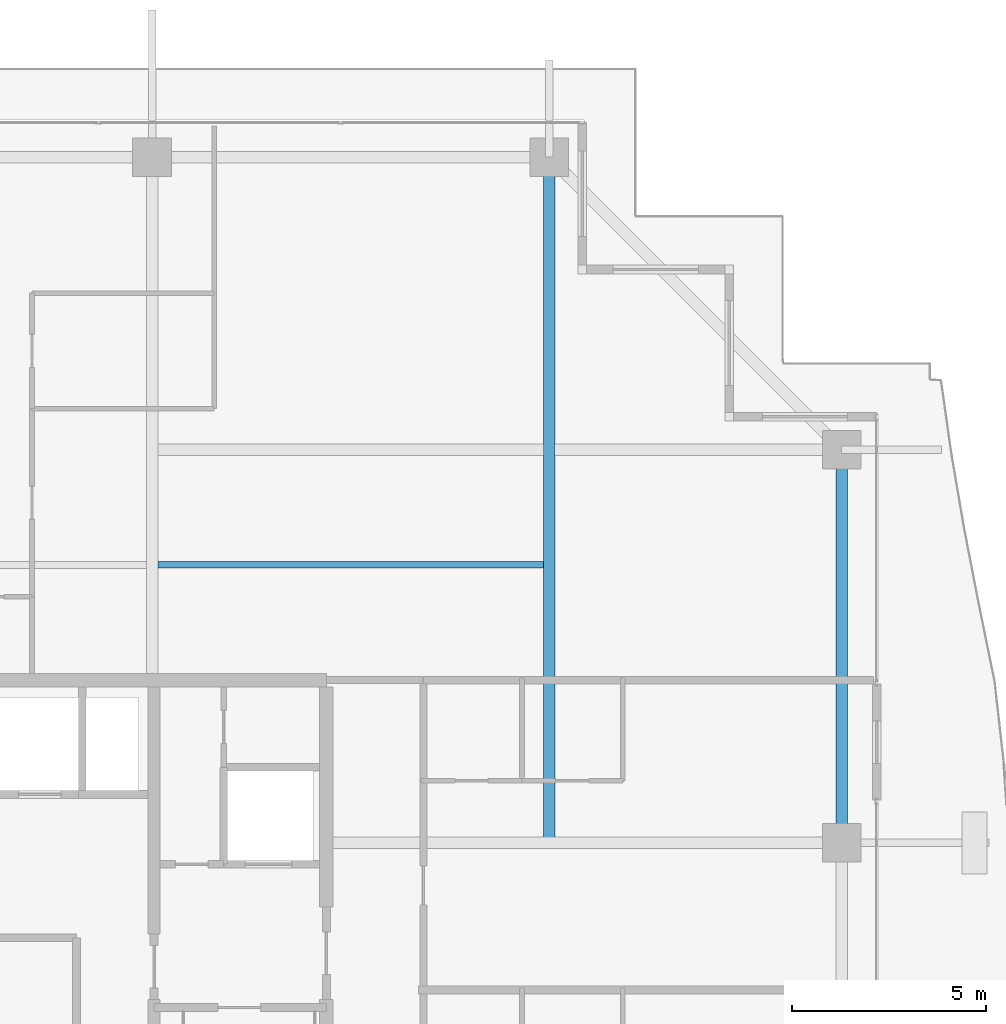
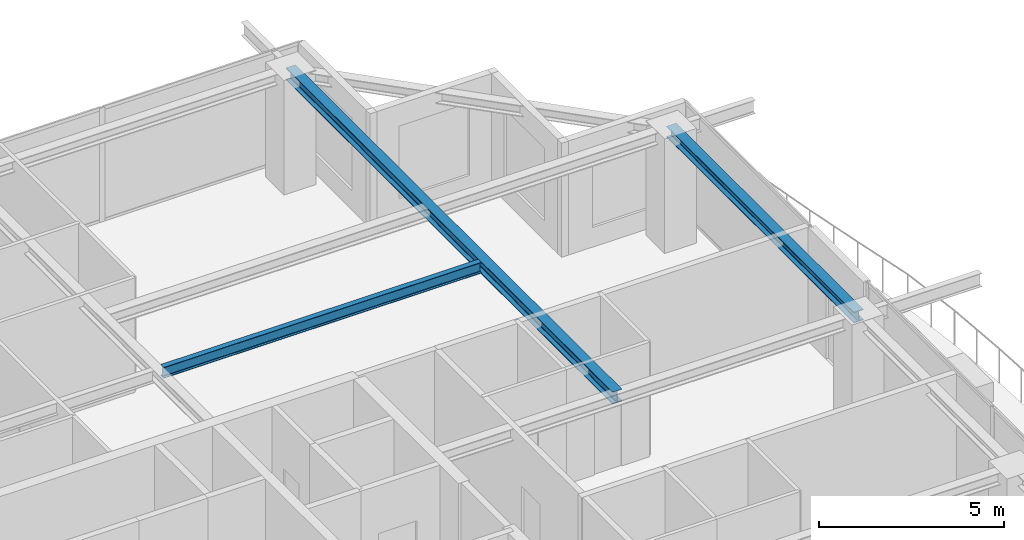
# One storey, part 25 of 42: 3 beams.
"""IFC4 building model written with IfcOpenShell, lengths in metres."""

from ifc_helpers import new_model, si_unit, direction, frame, origin, origin_2d, place, context, subcontext, project, spatial, i_section, extrude, source, transform, mapped, material, material_profile, profile_set, type_object, element, save


model = new_model("IFC4")

# Units and contexts
model_context = context("Model", 3, precision=1e-05, world=origin(), true_north=direction((0.0, 1.0)))
body_context = subcontext(model_context, "Body", "Model", "MODEL_VIEW")
ifc_project = project(units=[si_unit("LENGTHUNIT", "METRE"), si_unit("AREAUNIT", "SQUARE_METRE"), si_unit("VOLUMEUNIT", "CUBIC_METRE"), si_unit("PLANEANGLEUNIT", "RADIAN"), si_unit("MASSUNIT", "GRAM", prefix="KILO")], contexts=[model_context])

# Site, building, storey
site_placement = place(None, origin())
site = spatial("IfcSite", under=ifc_project, at=site_placement, CompositionType="ELEMENT")
building_placement = place(site_placement, origin())
building = spatial("IfcBuilding", under=site, at=building_placement, Name="Serunith Strait Residences", CompositionType="ELEMENT")
storey_placement = place(building_placement, frame((0.0, 0.0, 309.64990234375)))
storey = spatial("IfcBuildingStorey", under=building, at=storey_placement, Name="L77", CompositionType="ELEMENT", Elevation=309.64990234375)

# Beams
ifc_material = material(Name="Steel S355J2", Category="steel")
ifc_material_profile_1 = material_profile(ifc_material, i_section(OverallWidth=0.169921875, OverallDepth=0.360107421875, WebThickness=0.008056640625, FlangeThickness=0.0126953125, FilletRadius=0.01806640625, at=origin_2d()), Name="IPE 360")
ifc_profile_set_1 = profile_set([ifc_material_profile_1], Name="Steel S355J2")
beam_type_1 = type_object("IfcBeamType", Name="BM-IPE360", PredefinedType="JOIST", material=ifc_profile_set_1)
shared_shape_1 = source(origin(), body_context, "Body", "SweptSolid", [
    extrude(i_section(OverallWidth=0.169921875, OverallDepth=0.360107421875, WebThickness=0.008056640625, FlangeThickness=0.0126953125, FilletRadius=0.01806640625, at=origin_2d()), origin(), (0.0, 0.0, 1.0), 9.949951171875),
])
beam_1_placement = place(storey_placement, frame((37.050048828125, 36.574951171875, 3.607177734375), z_axis=(1.0, 0.0, 0.0), x_axis=(0.0, 1.0, 0.0)))
element("IfcBeam", 1, at=beam_1_placement, inside=storey, type_object=beam_type_1, Name="L77 Composite Floor Joist 06", PredefinedType="JOIST", context=body_context, shape_type="MappedRepresentation", body=[
    mapped(shared_shape_1, transform((0.0, 0.0, 0.0), scale=1.0)),
])
ifc_material_profile_2 = material_profile(ifc_material, i_section(OverallWidth=0.300048828125, OverallDepth=0.39990234375, WebThickness=0.013427734375, FlangeThickness=0.02392578125, FilletRadius=0.027099609375, at=origin_2d()), Name="HEB 400")
ifc_profile_set_2 = profile_set([ifc_material_profile_2], Name="Steel S355J2")
beam_type_2 = type_object("IfcBeamType", Name="BM-HEB400", PredefinedType="BEAM", material=ifc_profile_set_2)
shared_shape_2 = source(origin(), body_context, "Body", "SweptSolid", [
    extrude(i_section(OverallWidth=0.300048828125, OverallDepth=0.39990234375, WebThickness=0.013427734375, FlangeThickness=0.02392578125, FilletRadius=0.027099609375, at=origin_2d()), origin(), (0.0, 0.0, 1.0), 17.7001953125),
])
beam_2_placement = place(storey_placement, frame((47.14990234375, 29.39990234375, 3.587158203125), z_axis=(0.0, 1.0, 0.0), x_axis=(-1.0, 0.0, 0.0)))
element("IfcBeam", 2, at=beam_2_placement, inside=storey, type_object=beam_type_2, Name="L77 Orthogonal Corner Girder TC-N4", PredefinedType="BEAM", context=body_context, shape_type="MappedRepresentation", body=[
    mapped(shared_shape_2, transform((0.0, 0.0, 0.0), scale=1.0)),
])
ifc_material_profile_3 = material_profile(ifc_material, i_section(OverallWidth=0.300048828125, OverallDepth=0.360107421875, WebThickness=0.012451171875, FlangeThickness=0.0224609375, FilletRadius=0.027099609375, at=origin_2d()), Name="HEB 360")
ifc_profile_set_3 = profile_set([ifc_material_profile_3], Name="Steel S355J2")
beam_type_3 = type_object("IfcBeamType", Name="BM-HEB360", PredefinedType="BEAM", material=ifc_profile_set_3)
shared_shape_3 = source(origin(), body_context, "Body", "SweptSolid", [
    extrude(i_section(OverallWidth=0.300048828125, OverallDepth=0.360107421875, WebThickness=0.012451171875, FlangeThickness=0.0224609375, FilletRadius=0.027099609375, at=origin_2d()), origin(), (0.0, 0.0, 1.0), 10.150146484375),
])
beam_3_placement = place(storey_placement, frame((54.699951171875, 29.39990234375, 3.607177734375), z_axis=(0.0, 1.0, 0.0), x_axis=(-1.0, 0.0, 0.0)))
element("IfcBeam", 3, at=beam_3_placement, inside=storey, type_object=beam_type_3, Name="L77 Perimeter Ring Beam 07", PredefinedType="BEAM", context=body_context, shape_type="MappedRepresentation", body=[
    mapped(shared_shape_3, transform((0.0, 0.0, 0.0), scale=1.0)),
])

save(model, "model.ifc")
